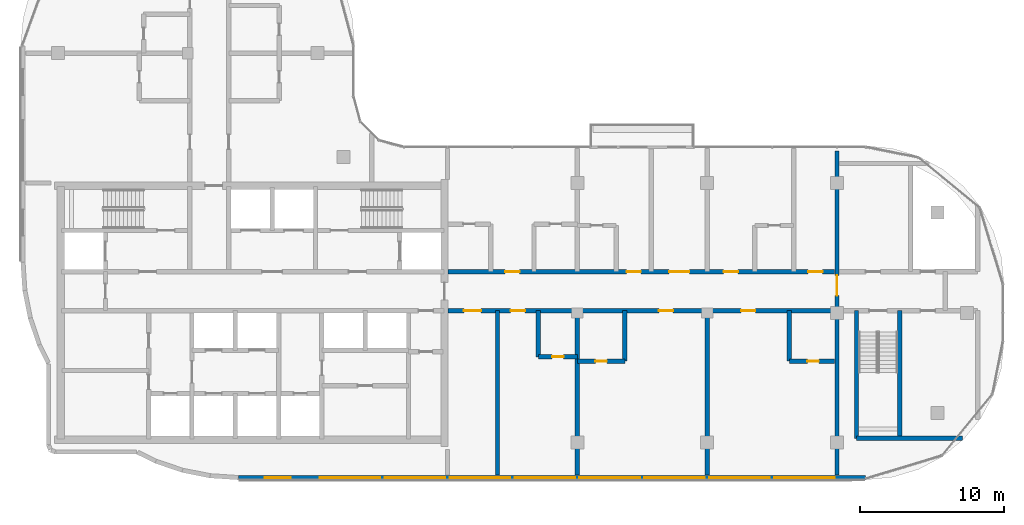
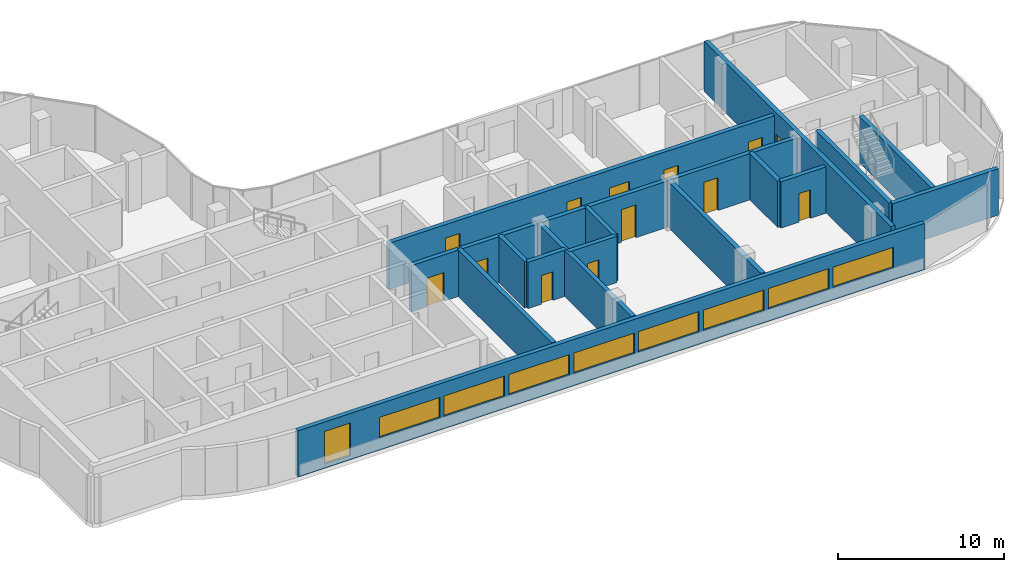
# One storey, part 11 of 18: 16 walls, 13 doors, 9 windows, 22 openings.
"""IFC4 building model written with IfcOpenShell, lengths in metres."""

from ifc_helpers import new_model, si_unit, direction, frame, frame_2d, origin, place, context, subcontext, project, spatial, rectangle, extrude, material, layer, layer_set, type_object, element, fill, save


model = new_model("IFC4")

# Units and contexts
model_context = context("Model", 3, precision=1e-05, world=origin(), true_north=direction((0.0, 1.0)))
body_context = subcontext(model_context, "Body", "Model", "MODEL_VIEW")
ifc_project = project(units=[si_unit("LENGTHUNIT", "METRE"), si_unit("AREAUNIT", "SQUARE_METRE"), si_unit("VOLUMEUNIT", "CUBIC_METRE"), si_unit("PLANEANGLEUNIT", "RADIAN"), si_unit("MASSUNIT", "GRAM", prefix="KILO")], contexts=[model_context])

# Site, building, storey
site_placement = place(None, origin())
site = spatial("IfcSite", under=ifc_project, at=site_placement, CompositionType="ELEMENT")
building_placement = place(site_placement, origin())
building = spatial("IfcBuilding", under=site, at=building_placement, Name="Ogive Portal Towers", CompositionType="ELEMENT")
storey_placement = place(building_placement, frame((0.0, 0.0, 236.5)))
storey = spatial("IfcBuildingStorey", under=building, at=storey_placement, Name="L59", CompositionType="ELEMENT", Elevation=236.5)

# Wall, openings, windows
ifc_material_1 = material(Name="Limestone cladding on lightweight block wall", Category="masonry")
ifc_layer_1 = layer(ifc_material_1, 0.300048828125)
ifc_layer_set_1 = layer_set([ifc_layer_1], Name="EXTERNAL WALL 300 STONE")
wall_type_1 = type_object("IfcWallType", Name="EXTERNAL WALL 300 STONE", PredefinedType="SOLIDWALL", material=ifc_layer_set_1)
wall_1_placement = place(storey_placement, frame((44.009765625, 19.074951171875, 0.0), z_axis=(0.0, 0.0, 1.0), x_axis=(1.0, 0.0, 0.0)))
wall_1 = element("IfcWall", 1, at=wall_1_placement, inside=storey, type_object=wall_type_1, Name="A:L59:f08:r0:wall", PredefinedType="SOLIDWALL", context=body_context, shape_type="SweptSolid", body=[
    extrude(rectangle(XDim=43.478271484375, YDim=0.300048828125, at=frame_2d((21.7392578125, 0.0))), origin(), (0.0, 0.0, 1.0), 3.39990234375),
])
opening_1_placement = place(wall_1_placement, frame((1.844970703125, 0.0, 0.300048828125)))
opening_1 = element("IfcOpeningElement", 2, at=opening_1_placement, cuts=wall_1, Name="Opening WN10", PredefinedType="OPENING", context=body_context, shape_type="SweptSolid", body=[
    extrude(rectangle(XDim=1.800048828125, YDim=2.39990234375, at=frame_2d((0.89990234375, 1.199951171875))), frame((0.0, 0.16015625, 0.0), z_axis=(0.0, -1.0, 0.0), x_axis=(1.0, 0.0, 0.0)), (0.0, 0.0, 1.0), 0.320068359375),
])
opening_2_placement = place(wall_1_placement, frame((5.64013671875, 0.0, 0.89990234375)))
opening_2 = element("IfcOpeningElement", 3, at=opening_2_placement, cuts=wall_1, Name="Opening WN11", PredefinedType="OPENING", context=body_context, shape_type="SweptSolid", body=[
    extrude(rectangle(XDim=4.199951171875, YDim=1.5, at=frame_2d((2.10009765625, 0.75))), frame((0.0, 0.16015625, 0.0), z_axis=(0.0, -1.0, 0.0), x_axis=(1.0, 0.0, 0.0)), (0.0, 0.0, 1.0), 0.320068359375),
])
opening_3_placement = place(wall_1_placement, frame((10.14013671875, 0.0, 0.89990234375)))
opening_3 = element("IfcOpeningElement", 4, at=opening_3_placement, cuts=wall_1, Name="Opening WN11", PredefinedType="OPENING", context=body_context, shape_type="SweptSolid", body=[
    extrude(rectangle(XDim=4.199951171875, YDim=1.5, at=frame_2d((2.10009765625, 0.75))), frame((0.0, 0.16015625, 0.0), z_axis=(0.0, -1.0, 0.0), x_axis=(1.0, 0.0, 0.0)), (0.0, 0.0, 1.0), 0.320068359375),
])
opening_4_placement = place(wall_1_placement, frame((14.64013671875, 0.0, 0.89990234375)))
opening_4 = element("IfcOpeningElement", 5, at=opening_4_placement, cuts=wall_1, Name="Opening WN11", PredefinedType="OPENING", context=body_context, shape_type="SweptSolid", body=[
    extrude(rectangle(XDim=4.199951171875, YDim=1.5, at=frame_2d((2.10009765625, 0.75))), frame((0.0, 0.16015625, 0.0), z_axis=(0.0, -1.0, 0.0), x_axis=(1.0, 0.0, 0.0)), (0.0, 0.0, 1.0), 0.320068359375),
])
opening_5_placement = place(wall_1_placement, frame((19.14013671875, 0.0, 0.89990234375)))
opening_5 = element("IfcOpeningElement", 6, at=opening_5_placement, cuts=wall_1, Name="Opening WN11", PredefinedType="OPENING", context=body_context, shape_type="SweptSolid", body=[
    extrude(rectangle(XDim=4.199951171875, YDim=1.5, at=frame_2d((2.10009765625, 0.75))), frame((0.0, 0.16015625, 0.0), z_axis=(0.0, -1.0, 0.0), x_axis=(1.0, 0.0, 0.0)), (0.0, 0.0, 1.0), 0.320068359375),
])
opening_6_placement = place(wall_1_placement, frame((23.64013671875, 0.0, 0.89990234375)))
opening_6 = element("IfcOpeningElement", 7, at=opening_6_placement, cuts=wall_1, Name="Opening WN11", PredefinedType="OPENING", context=body_context, shape_type="SweptSolid", body=[
    extrude(rectangle(XDim=4.199951171875, YDim=1.5, at=frame_2d((2.10009765625, 0.75))), frame((0.0, 0.16015625, 0.0), z_axis=(0.0, -1.0, 0.0), x_axis=(1.0, 0.0, 0.0)), (0.0, 0.0, 1.0), 0.320068359375),
])
opening_7_placement = place(wall_1_placement, frame((28.14013671875, 0.0, 0.89990234375)))
opening_7 = element("IfcOpeningElement", 8, at=opening_7_placement, cuts=wall_1, Name="Opening WN11", PredefinedType="OPENING", context=body_context, shape_type="SweptSolid", body=[
    extrude(rectangle(XDim=4.199951171875, YDim=1.5, at=frame_2d((2.10009765625, 0.75))), frame((0.0, 0.16015625, 0.0), z_axis=(0.0, -1.0, 0.0), x_axis=(1.0, 0.0, 0.0)), (0.0, 0.0, 1.0), 0.320068359375),
])
opening_8_placement = place(wall_1_placement, frame((32.64013671875, 0.0, 0.89990234375)))
opening_8 = element("IfcOpeningElement", 9, at=opening_8_placement, cuts=wall_1, Name="Opening WN11", PredefinedType="OPENING", context=body_context, shape_type="SweptSolid", body=[
    extrude(rectangle(XDim=4.199951171875, YDim=1.5, at=frame_2d((2.10009765625, 0.75))), frame((0.0, 0.16015625, 0.0), z_axis=(0.0, -1.0, 0.0), x_axis=(1.0, 0.0, 0.0)), (0.0, 0.0, 1.0), 0.320068359375),
])
opening_9_placement = place(wall_1_placement, frame((37.14013671875, 0.0, 0.89990234375)))
opening_9 = element("IfcOpeningElement", 10, at=opening_9_placement, cuts=wall_1, Name="Opening WN11", PredefinedType="OPENING", context=body_context, shape_type="SweptSolid", body=[
    extrude(rectangle(XDim=4.199951171875, YDim=1.5, at=frame_2d((2.10009765625, 0.75))), frame((0.0, 0.16015625, 0.0), z_axis=(0.0, -1.0, 0.0), x_axis=(1.0, 0.0, 0.0)), (0.0, 0.0, 1.0), 0.320068359375),
])
ifc_material_2 = material(Name="Glass, clear low-iron insulated glazing", Category="glass")
window_type_1 = type_object("IfcWindowType", Name="WINDOW RIBBON 4200x1500", PartitioningType="TRIPLE_PANEL_VERTICAL", PredefinedType="WINDOW", material=ifc_material_2)
window_1_placement = place(opening_2_placement, origin())
window_1 = element("IfcWindow", 11, at=window_1_placement, inside=storey, type_object=window_type_1, Name="A:L59:f08:r0:w1", OverallHeight=1.5, OverallWidth=4.199951171875, PartitioningType="SINGLE_PANEL", PredefinedType="WINDOW", context=body_context, shape_type="SweptSolid", body=[
    extrude(rectangle(XDim=4.199951171875, YDim=1.5, at=frame_2d((2.10009765625, 0.75))), frame((0.0, 0.030029296875, 0.0), z_axis=(0.0, -1.0, 0.0), x_axis=(1.0, 0.0, 0.0)), (0.0, 0.0, 1.0), 0.06005859375),
])
fill(opening_2, window_1)
window_2_placement = place(opening_3_placement, origin())
window_2 = element("IfcWindow", 12, at=window_2_placement, inside=storey, type_object=window_type_1, Name="A:L59:f08:r0:w2", OverallHeight=1.5, OverallWidth=4.199951171875, PartitioningType="SINGLE_PANEL", PredefinedType="WINDOW", context=body_context, shape_type="SweptSolid", body=[
    extrude(rectangle(XDim=4.199951171875, YDim=1.5, at=frame_2d((2.10009765625, 0.75))), frame((0.0, 0.030029296875, 0.0), z_axis=(0.0, -1.0, 0.0), x_axis=(1.0, 0.0, 0.0)), (0.0, 0.0, 1.0), 0.06005859375),
])
fill(opening_3, window_2)
window_3_placement = place(opening_4_placement, origin())
window_3 = element("IfcWindow", 13, at=window_3_placement, inside=storey, type_object=window_type_1, Name="A:L59:f08:r0:w3", OverallHeight=1.5, OverallWidth=4.199951171875, PartitioningType="SINGLE_PANEL", PredefinedType="WINDOW", context=body_context, shape_type="SweptSolid", body=[
    extrude(rectangle(XDim=4.199951171875, YDim=1.5, at=frame_2d((2.10009765625, 0.75))), frame((0.0, 0.030029296875, 0.0), z_axis=(0.0, -1.0, 0.0), x_axis=(1.0, 0.0, 0.0)), (0.0, 0.0, 1.0), 0.06005859375),
])
fill(opening_4, window_3)
window_4_placement = place(opening_5_placement, origin())
window_4 = element("IfcWindow", 14, at=window_4_placement, inside=storey, type_object=window_type_1, Name="A:L59:f08:r0:w4", OverallHeight=1.5, OverallWidth=4.199951171875, PartitioningType="SINGLE_PANEL", PredefinedType="WINDOW", context=body_context, shape_type="SweptSolid", body=[
    extrude(rectangle(XDim=4.199951171875, YDim=1.5, at=frame_2d((2.10009765625, 0.75))), frame((0.0, 0.030029296875, 0.0), z_axis=(0.0, -1.0, 0.0), x_axis=(1.0, 0.0, 0.0)), (0.0, 0.0, 1.0), 0.06005859375),
])
fill(opening_5, window_4)
window_5_placement = place(opening_6_placement, origin())
window_5 = element("IfcWindow", 15, at=window_5_placement, inside=storey, type_object=window_type_1, Name="A:L59:f08:r0:w5", OverallHeight=1.5, OverallWidth=4.199951171875, PartitioningType="SINGLE_PANEL", PredefinedType="WINDOW", context=body_context, shape_type="SweptSolid", body=[
    extrude(rectangle(XDim=4.199951171875, YDim=1.5, at=frame_2d((2.10009765625, 0.75))), frame((0.0, 0.030029296875, 0.0), z_axis=(0.0, -1.0, 0.0), x_axis=(1.0, 0.0, 0.0)), (0.0, 0.0, 1.0), 0.06005859375),
])
fill(opening_6, window_5)
window_6_placement = place(opening_7_placement, origin())
window_6 = element("IfcWindow", 16, at=window_6_placement, inside=storey, type_object=window_type_1, Name="A:L59:f08:r0:w6", OverallHeight=1.5, OverallWidth=4.199951171875, PartitioningType="SINGLE_PANEL", PredefinedType="WINDOW", context=body_context, shape_type="SweptSolid", body=[
    extrude(rectangle(XDim=4.199951171875, YDim=1.5, at=frame_2d((2.10009765625, 0.75))), frame((0.0, 0.030029296875, 0.0), z_axis=(0.0, -1.0, 0.0), x_axis=(1.0, 0.0, 0.0)), (0.0, 0.0, 1.0), 0.06005859375),
])
fill(opening_7, window_6)
window_7_placement = place(opening_8_placement, origin())
window_7 = element("IfcWindow", 17, at=window_7_placement, inside=storey, type_object=window_type_1, Name="A:L59:f08:r0:w7", OverallHeight=1.5, OverallWidth=4.199951171875, PartitioningType="SINGLE_PANEL", PredefinedType="WINDOW", context=body_context, shape_type="SweptSolid", body=[
    extrude(rectangle(XDim=4.199951171875, YDim=1.5, at=frame_2d((2.10009765625, 0.75))), frame((0.0, 0.030029296875, 0.0), z_axis=(0.0, -1.0, 0.0), x_axis=(1.0, 0.0, 0.0)), (0.0, 0.0, 1.0), 0.06005859375),
])
fill(opening_8, window_7)
window_8_placement = place(opening_9_placement, origin())
window_8 = element("IfcWindow", 18, at=window_8_placement, inside=storey, type_object=window_type_1, Name="A:L59:f08:r0:w8", OverallHeight=1.5, OverallWidth=4.199951171875, PartitioningType="SINGLE_PANEL", PredefinedType="WINDOW", context=body_context, shape_type="SweptSolid", body=[
    extrude(rectangle(XDim=4.199951171875, YDim=1.5, at=frame_2d((2.10009765625, 0.75))), frame((0.0, 0.030029296875, 0.0), z_axis=(0.0, -1.0, 0.0), x_axis=(1.0, 0.0, 0.0)), (0.0, 0.0, 1.0), 0.06005859375),
])
fill(opening_9, window_8)
window_type_2 = type_object("IfcWindowType", Name="WINDOW SUITE CORNER 1800x2400", PartitioningType="DOUBLE_PANEL_VERTICAL", PredefinedType="WINDOW", material=ifc_material_2)
window_9_placement = place(opening_1_placement, origin())
window_9 = element("IfcWindow", 19, at=window_9_placement, inside=storey, type_object=window_type_2, Name="A:L59:f08:r0:w0", OverallHeight=2.39990234375, OverallWidth=1.800048828125, PartitioningType="SINGLE_PANEL", PredefinedType="WINDOW", context=body_context, shape_type="SweptSolid", body=[
    extrude(rectangle(XDim=1.800048828125, YDim=2.39990234375, at=frame_2d((0.89990234375, 1.199951171875))), frame((0.0, 0.030029296875, 0.0), z_axis=(0.0, -1.0, 0.0), x_axis=(1.0, 0.0, 0.0)), (0.0, 0.0, 1.0), 0.06005859375),
])
fill(opening_1, window_9)

# Wall, opening, door
ifc_material_3 = material(Name="Concrete C60/75", Category="concrete")
ifc_layer_2 = layer(ifc_material_3, 0.300048828125)
ifc_layer_set_2 = layer_set([ifc_layer_2], Name="REVEAL WALL 300 C60")
wall_type_2 = type_object("IfcWallType", Name="REVEAL WALL 300 C60", PredefinedType="SHEAR", material=ifc_layer_set_2)
wall_2_placement = place(storey_placement, frame((85.5, 19.27490234375, 0.0), z_axis=(0.0, 0.0, 1.0), x_axis=(0.0, 1.0, 0.0)))
wall_2 = element("IfcWall", 20, at=wall_2_placement, inside=storey, type_object=wall_type_2, Name="Portal reveal wall L59", PredefinedType="SHEAR", context=body_context, shape_type="SweptSolid", body=[
    extrude(rectangle(XDim=22.4501953125, YDim=0.300048828125, at=frame_2d((11.22509765625, 0.0))), origin(), (0.0, 0.0, 1.0), 3.699951171875),
])
opening_10_placement = place(wall_2_placement, frame((12.425048828125, 0.0, 0.0)))
opening_10 = element("IfcOpeningElement", 21, at=opening_10_placement, cuts=wall_2, Name="Opening D26-056", PredefinedType="OPENING", context=body_context, shape_type="SweptSolid", body=[
    extrude(rectangle(XDim=1.39990234375, YDim=2.10009765625, at=frame_2d((0.699951171875, 1.050048828125))), frame((0.0, 0.16015625, 0.0), z_axis=(0.0, -1.0, 0.0), x_axis=(1.0, 0.0, 0.0)), (0.0, 0.0, 1.0), 0.320068359375),
])
ifc_material_4 = material(Name="Steel fire door", Category="steel")
door_type_1 = type_object("IfcDoorType", Name="DT-STAIR-1400x2100-FD90S", OperationType="SINGLE_SWING_LEFT", PredefinedType="DOOR", material=ifc_material_4)
door_1_placement = place(opening_10_placement, origin())
door_1 = element("IfcDoor", 22, at=door_1_placement, inside=storey, type_object=door_type_1, Name="Door D26-056", OperationType="SINGLE_SWING_RIGHT", OverallHeight=2.10009765625, OverallWidth=1.39990234375, PredefinedType="DOOR", context=body_context, shape_type="SweptSolid", body=[
    extrude(rectangle(XDim=1.39990234375, YDim=2.10009765625, at=frame_2d((0.699951171875, 1.050048828125))), frame((0.0, 0.02490234375, 0.0), z_axis=(0.0, -1.0, 0.0), x_axis=(1.0, 0.0, 0.0)), (0.0, 0.0, 1.0), 0.050048828125),
])
fill(opening_10, door_1)

# Walls
ifc_material_5 = material(Name="Concrete C50/60", Category="concrete")
ifc_layer_3 = layer(ifc_material_5, 0.300048828125)
ifc_layer_set_3 = layer_set([ifc_layer_3], Name="STAIR WALL 300 C50")
wall_type_3 = type_object("IfcWallType", Name="STAIR WALL 300 C50", PredefinedType="SHEAR", material=ifc_layer_set_3)
wall_3_placement = place(storey_placement, frame((86.85009765625, 21.800048828125, 0.0), z_axis=(0.0, 0.0, 1.0), x_axis=(1.0, 0.0, 0.0)))
element("IfcWall", 23, at=wall_3_placement, inside=storey, type_object=wall_type_3, Name="Stair wall ST-A4 L59", PredefinedType="SHEAR", context=body_context, shape_type="SweptSolid", body=[
    extrude(rectangle(XDim=7.3388671875, YDim=0.300048828125, at=frame_2d((3.66943359375, 0.0))), origin(), (0.0, 0.0, 1.0), 3.39990234375),
])
for number, where, z_axis, x_axis, name in (
    (24, (86.85009765625, 21.800048828125, 0.0), (0.0, 0.0, 1.0), (0.0, 1.0, 0.0), "Stair wall ST-A4 L59"),
    (25, (89.85009765625, 21.800048828125, 0.0), (0.0, 0.0, 1.0), (0.0, 1.0, 0.0), "Stair wall ST-A4 L59"),
):
    element("IfcWall", number, at=place(storey_placement, frame(where, z_axis=z_axis, x_axis=x_axis)), inside=storey, type_object=wall_type_3, Name=name, PredefinedType="SHEAR", context=body_context, shape_type="SweptSolid", body=[
        extrude(rectangle(XDim=8.849853515625, YDim=0.300048828125, at=frame_2d((4.4248046875, 0.0))), origin(), (0.0, 0.0, 1.0), 3.39990234375),
    ])

# Wall, openings, doors
ifc_material_6 = material(Name="Gypsum board partition on steel studs", Category="steel")
ifc_layer_4 = layer(ifc_material_6, 0.300048828125)
ifc_layer_set_4 = layer_set([ifc_layer_4], Name="WT-PART-300-EI 120")
wall_type_4 = type_object("IfcWallType", Name="WT-PART-300-EI 120", PredefinedType="PARTITIONING", material=ifc_layer_set_4)
wall_4_placement = place(storey_placement, frame((58.550048828125, 30.64990234375, 0.0), z_axis=(0.0, 0.0, 1.0), x_axis=(1.0, 0.0, 0.0)))
wall_4 = element("IfcWall", 26, at=wall_4_placement, inside=storey, type_object=wall_type_4, Name="Wall L59:w005", PredefinedType="PARTITIONING", context=body_context, shape_type="SweptSolid", body=[
    extrude(rectangle(XDim=26.780029296875, YDim=0.300048828125, at=frame_2d((13.39013671875, 0.0))), origin(), (0.0, 0.0, 1.0), 3.39990234375),
])
opening_11_placement = place(wall_4_placement, frame((1.0849609375, 0.0, 0.0)))
opening_11 = element("IfcOpeningElement", 27, at=opening_11_placement, cuts=wall_4, Name="Opening D26-029", PredefinedType="OPENING", context=body_context, shape_type="SweptSolid", body=[
    extrude(rectangle(XDim=1.199951171875, YDim=2.10009765625, at=frame_2d((0.60009765625, 1.050048828125))), frame((0.0, 0.16015625, 0.0), z_axis=(0.0, -1.0, 0.0), x_axis=(1.0, 0.0, 0.0)), (0.0, 0.0, 1.0), 0.320068359375),
])
opening_12_placement = place(wall_4_placement, frame((4.3349609375, 0.0, 0.0)))
opening_12 = element("IfcOpeningElement", 28, at=opening_12_placement, cuts=wall_4, Name="Opening D26-031", PredefinedType="OPENING", context=body_context, shape_type="SweptSolid", body=[
    extrude(rectangle(XDim=1.0, YDim=2.10009765625, at=frame_2d((0.5, 1.050048828125))), frame((0.0, 0.16015625, 0.0), z_axis=(0.0, -1.0, 0.0), x_axis=(1.0, 0.0, 0.0)), (0.0, 0.0, 1.0), 0.320068359375),
])
opening_13_placement = place(wall_4_placement, frame((14.60009765625, 0.0, 0.0)))
opening_13 = element("IfcOpeningElement", 29, at=opening_13_placement, cuts=wall_4, Name="Opening D26-036", PredefinedType="OPENING", context=body_context, shape_type="SweptSolid", body=[
    extrude(rectangle(XDim=1.0, YDim=2.39990234375, at=frame_2d((0.5, 1.199951171875))), frame((0.0, 0.16015625, 0.0), z_axis=(0.0, -1.0, 0.0), x_axis=(1.0, 0.0, 0.0)), (0.0, 0.0, 1.0), 0.320068359375),
])
opening_14_placement = place(wall_4_placement, frame((20.300048828125, 0.0, 0.0)))
opening_14 = element("IfcOpeningElement", 30, at=opening_14_placement, cuts=wall_4, Name="Opening D26-041", PredefinedType="OPENING", context=body_context, shape_type="SweptSolid", body=[
    extrude(rectangle(XDim=1.0, YDim=2.39990234375, at=frame_2d((0.5, 1.199951171875))), frame((0.0, 0.16015625, 0.0), z_axis=(0.0, -1.0, 0.0), x_axis=(1.0, 0.0, 0.0)), (0.0, 0.0, 1.0), 0.320068359375),
])
door_type_2 = type_object("IfcDoorType", Name="DT-ENTRY-1000x2100-FD90S", OperationType="SINGLE_SWING_LEFT", PredefinedType="DOOR", material=ifc_material_4)
door_2_placement = place(opening_12_placement, origin())
door_2 = element("IfcDoor", 31, at=door_2_placement, inside=storey, type_object=door_type_2, Name="Door D26-031", OperationType="SINGLE_SWING_LEFT", OverallHeight=2.10009765625, OverallWidth=1.0, PredefinedType="DOOR", context=body_context, shape_type="SweptSolid", body=[
    extrude(rectangle(XDim=1.0, YDim=2.10009765625, at=frame_2d((0.5, 1.050048828125))), frame((0.0, 0.02490234375, 0.0), z_axis=(0.0, -1.0, 0.0), x_axis=(1.0, 0.0, 0.0)), (0.0, 0.0, 1.0), 0.050048828125),
])
fill(opening_12, door_2)
door_type_3 = type_object("IfcDoorType", Name="DT-ENTRY-1000x2400-FD90S", OperationType="SINGLE_SWING_LEFT", PredefinedType="DOOR", material=ifc_material_4)
door_3_placement = place(opening_13_placement, origin())
door_3 = element("IfcDoor", 32, at=door_3_placement, inside=storey, type_object=door_type_3, Name="Door D26-036", OperationType="SINGLE_SWING_LEFT", OverallHeight=2.39990234375, OverallWidth=1.0, PredefinedType="DOOR", context=body_context, shape_type="SweptSolid", body=[
    extrude(rectangle(XDim=1.0, YDim=2.39990234375, at=frame_2d((0.5, 1.199951171875))), frame((0.0, 0.02490234375, 0.0), z_axis=(0.0, -1.0, 0.0), x_axis=(1.0, 0.0, 0.0)), (0.0, 0.0, 1.0), 0.050048828125),
])
fill(opening_13, door_3)
door_4_placement = place(opening_14_placement, origin())
door_4 = element("IfcDoor", 33, at=door_4_placement, inside=storey, type_object=door_type_3, Name="Door D26-041", OperationType="SINGLE_SWING_RIGHT", OverallHeight=2.39990234375, OverallWidth=1.0, PredefinedType="DOOR", context=body_context, shape_type="SweptSolid", body=[
    extrude(rectangle(XDim=1.0, YDim=2.39990234375, at=frame_2d((0.5, 1.199951171875))), frame((0.0, 0.02490234375, 0.0), z_axis=(0.0, -1.0, 0.0), x_axis=(1.0, 0.0, 0.0)), (0.0, 0.0, 1.0), 0.050048828125),
])
fill(opening_14, door_4)
door_type_4 = type_object("IfcDoorType", Name="DT-ENTRY-1200x2100-FD90S", OperationType="SINGLE_SWING_LEFT", PredefinedType="DOOR", material=ifc_material_4)
door_5_placement = place(opening_11_placement, origin())
door_5 = element("IfcDoor", 34, at=door_5_placement, inside=storey, type_object=door_type_4, Name="Door D26-029", OperationType="SINGLE_SWING_LEFT", OverallHeight=2.10009765625, OverallWidth=1.199951171875, PredefinedType="DOOR", context=body_context, shape_type="SweptSolid", body=[
    extrude(rectangle(XDim=1.199951171875, YDim=2.10009765625, at=frame_2d((0.60009765625, 1.050048828125))), frame((0.0, 0.02490234375, 0.0), z_axis=(0.0, -1.0, 0.0), x_axis=(1.0, 0.0, 0.0)), (0.0, 0.0, 1.0), 0.050048828125),
])
fill(opening_11, door_5)

wall_5_placement = place(storey_placement, frame((58.550048828125, 33.35009765625, 0.0), z_axis=(0.0, 0.0, 1.0), x_axis=(1.0, 0.0, 0.0)))
wall_5 = element("IfcWall", 35, at=wall_5_placement, inside=storey, type_object=wall_type_4, Name="Wall L59:w007", PredefinedType="PARTITIONING", context=body_context, shape_type="SweptSolid", body=[
    extrude(rectangle(XDim=26.780029296875, YDim=0.300048828125, at=frame_2d((13.39013671875, 0.0))), origin(), (0.0, 0.0, 1.0), 3.39990234375),
])
opening_15_placement = place(wall_5_placement, frame((3.949951171875, 0.0, 0.0)))
opening_15 = element("IfcOpeningElement", 36, at=opening_15_placement, cuts=wall_5, Name="Opening D26-028", PredefinedType="OPENING", context=body_context, shape_type="SweptSolid", body=[
    extrude(rectangle(XDim=1.0, YDim=2.39990234375, at=frame_2d((0.5, 1.199951171875))), frame((0.0, 0.16015625, 0.0), z_axis=(0.0, -1.0, 0.0), x_axis=(1.0, 0.0, 0.0)), (0.0, 0.0, 1.0), 0.320068359375),
])
opening_16_placement = place(wall_5_placement, frame((12.364990234375, 0.0, 0.0)))
opening_16 = element("IfcOpeningElement", 37, at=opening_16_placement, cuts=wall_5, Name="Opening D26-033", PredefinedType="OPENING", context=body_context, shape_type="SweptSolid", body=[
    extrude(rectangle(XDim=1.0, YDim=2.10009765625, at=frame_2d((0.5, 1.050048828125))), frame((0.0, 0.16015625, 0.0), z_axis=(0.0, -1.0, 0.0), x_axis=(1.0, 0.0, 0.0)), (0.0, 0.0, 1.0), 0.320068359375),
])
opening_17_placement = place(wall_5_placement, frame((15.31494140625, 0.0, 0.0)))
opening_17 = element("IfcOpeningElement", 38, at=opening_17_placement, cuts=wall_5, Name="Opening D26-034", PredefinedType="OPENING", context=body_context, shape_type="SweptSolid", body=[
    extrude(rectangle(XDim=1.39990234375, YDim=2.10009765625, at=frame_2d((0.699951171875, 1.050048828125))), frame((0.0, 0.16015625, 0.0), z_axis=(0.0, -1.0, 0.0), x_axis=(1.0, 0.0, 0.0)), (0.0, 0.0, 1.0), 0.320068359375),
])
opening_18_placement = place(wall_5_placement, frame((19.10009765625, 0.0, 0.0)))
opening_18 = element("IfcOpeningElement", 39, at=opening_18_placement, cuts=wall_5, Name="Opening D26-038", PredefinedType="OPENING", context=body_context, shape_type="SweptSolid", body=[
    extrude(rectangle(XDim=1.0, YDim=2.10009765625, at=frame_2d((0.5, 1.050048828125))), frame((0.0, 0.16015625, 0.0), z_axis=(0.0, -1.0, 0.0), x_axis=(1.0, 0.0, 0.0)), (0.0, 0.0, 1.0), 0.320068359375),
])
opening_19_placement = place(wall_5_placement, frame((24.949951171875, 0.0, 0.0)))
opening_19 = element("IfcOpeningElement", 40, at=opening_19_placement, cuts=wall_5, Name="Opening D26-039", PredefinedType="OPENING", context=body_context, shape_type="SweptSolid", body=[
    extrude(rectangle(XDim=1.0, YDim=2.10009765625, at=frame_2d((0.5, 1.050048828125))), frame((0.0, 0.16015625, 0.0), z_axis=(0.0, -1.0, 0.0), x_axis=(1.0, 0.0, 0.0)), (0.0, 0.0, 1.0), 0.320068359375),
])
door_6_placement = place(opening_16_placement, origin())
door_6 = element("IfcDoor", 41, at=door_6_placement, inside=storey, type_object=door_type_2, Name="Door D26-033", OperationType="SINGLE_SWING_LEFT", OverallHeight=2.10009765625, OverallWidth=1.0, PredefinedType="DOOR", context=body_context, shape_type="SweptSolid", body=[
    extrude(rectangle(XDim=1.0, YDim=2.10009765625, at=frame_2d((0.5, 1.050048828125))), frame((0.0, 0.02490234375, 0.0), z_axis=(0.0, -1.0, 0.0), x_axis=(1.0, 0.0, 0.0)), (0.0, 0.0, 1.0), 0.050048828125),
])
fill(opening_16, door_6)
door_7_placement = place(opening_18_placement, origin())
door_7 = element("IfcDoor", 42, at=door_7_placement, inside=storey, type_object=door_type_2, Name="Door D26-038", OperationType="SINGLE_SWING_RIGHT", OverallHeight=2.10009765625, OverallWidth=1.0, PredefinedType="DOOR", context=body_context, shape_type="SweptSolid", body=[
    extrude(rectangle(XDim=1.0, YDim=2.10009765625, at=frame_2d((0.5, 1.050048828125))), frame((0.0, 0.02490234375, 0.0), z_axis=(0.0, -1.0, 0.0), x_axis=(1.0, 0.0, 0.0)), (0.0, 0.0, 1.0), 0.050048828125),
])
fill(opening_18, door_7)
door_8_placement = place(opening_19_placement, origin())
door_8 = element("IfcDoor", 43, at=door_8_placement, inside=storey, type_object=door_type_2, Name="Door D26-039", OperationType="SINGLE_SWING_LEFT", OverallHeight=2.10009765625, OverallWidth=1.0, PredefinedType="DOOR", context=body_context, shape_type="SweptSolid", body=[
    extrude(rectangle(XDim=1.0, YDim=2.10009765625, at=frame_2d((0.5, 1.050048828125))), frame((0.0, 0.02490234375, 0.0), z_axis=(0.0, -1.0, 0.0), x_axis=(1.0, 0.0, 0.0)), (0.0, 0.0, 1.0), 0.050048828125),
])
fill(opening_19, door_8)
door_9_placement = place(opening_15_placement, origin())
door_9 = element("IfcDoor", 44, at=door_9_placement, inside=storey, type_object=door_type_3, Name="Door D26-028", OperationType="SINGLE_SWING_LEFT", OverallHeight=2.39990234375, OverallWidth=1.0, PredefinedType="DOOR", context=body_context, shape_type="SweptSolid", body=[
    extrude(rectangle(XDim=1.0, YDim=2.39990234375, at=frame_2d((0.5, 1.199951171875))), frame((0.0, 0.02490234375, 0.0), z_axis=(0.0, -1.0, 0.0), x_axis=(1.0, 0.0, 0.0)), (0.0, 0.0, 1.0), 0.050048828125),
])
fill(opening_15, door_9)
door_type_5 = type_object("IfcDoorType", Name="DT-ENTRY-1400x2100-FD90S", OperationType="SINGLE_SWING_LEFT", PredefinedType="DOOR", material=ifc_material_4)
door_10_placement = place(opening_17_placement, origin())
door_10 = element("IfcDoor", 45, at=door_10_placement, inside=storey, type_object=door_type_5, Name="Door D26-034", OperationType="SINGLE_SWING_RIGHT", OverallHeight=2.10009765625, OverallWidth=1.39990234375, PredefinedType="DOOR", context=body_context, shape_type="SweptSolid", body=[
    extrude(rectangle(XDim=1.39990234375, YDim=2.10009765625, at=frame_2d((0.699951171875, 1.050048828125))), frame((0.0, 0.02490234375, 0.0), z_axis=(0.0, -1.0, 0.0), x_axis=(1.0, 0.0, 0.0)), (0.0, 0.0, 1.0), 0.050048828125),
])
fill(opening_17, door_10)

# Wall, opening, door
ifc_layer_5 = layer(ifc_material_6, 0.300048828125)
ifc_layer_set_5 = layer_set([ifc_layer_5], Name="WT-PART-300-EI 60")
wall_type_5 = type_object("IfcWallType", Name="WT-PART-300-EI 60", PredefinedType="PARTITIONING", material=ifc_layer_set_5)
wall_6_placement = place(storey_placement, frame((67.5, 27.14990234375, 0.0), z_axis=(0.0, 0.0, 1.0), x_axis=(1.0, 0.0, 0.0)))
wall_6 = element("IfcWall", 46, at=wall_6_placement, inside=storey, type_object=wall_type_5, Name="Wall L59:w002", PredefinedType="PARTITIONING", context=body_context, shape_type="SweptSolid", body=[
    extrude(rectangle(XDim=3.300048828125, YDim=0.300048828125, at=frame_2d((1.64990234375, 0.0))), origin(), (0.0, 0.0, 1.0), 3.39990234375),
])
opening_20_placement = place(wall_6_placement, frame((1.25, 0.0, 0.0)))
opening_20 = element("IfcOpeningElement", 47, at=opening_20_placement, cuts=wall_6, Name="Opening D26-035", PredefinedType="OPENING", context=body_context, shape_type="SweptSolid", body=[
    extrude(rectangle(XDim=0.800048828125, YDim=2.10009765625, at=frame_2d((0.39990234375, 1.050048828125))), frame((0.0, 0.16015625, 0.0), z_axis=(0.0, -1.0, 0.0), x_axis=(1.0, 0.0, 0.0)), (0.0, 0.0, 1.0), 0.320068359375),
])
door_type_6 = type_object("IfcDoorType", Name="DT-BATH-800x2100-FD60S", OperationType="SINGLE_SWING_LEFT", PredefinedType="DOOR", material=ifc_material_4)
door_11_placement = place(opening_20_placement, origin())
door_11 = element("IfcDoor", 48, at=door_11_placement, inside=storey, type_object=door_type_6, Name="Door D26-035", OperationType="SINGLE_SWING_LEFT", OverallHeight=2.10009765625, OverallWidth=0.800048828125, PredefinedType="DOOR", context=body_context, shape_type="SweptSolid", body=[
    extrude(rectangle(XDim=0.800048828125, YDim=2.10009765625, at=frame_2d((0.39990234375, 1.050048828125))), frame((0.0, 0.02490234375, 0.0), z_axis=(0.0, -1.0, 0.0), x_axis=(1.0, 0.0, 0.0)), (0.0, 0.0, 1.0), 0.050048828125),
])
fill(opening_20, door_11)

wall_7_placement = place(storey_placement, frame((82.199951171875, 27.14990234375, 0.0), z_axis=(0.0, 0.0, 1.0), x_axis=(1.0, 0.0, 0.0)))
wall_7 = element("IfcWall", 49, at=wall_7_placement, inside=storey, type_object=wall_type_5, Name="Wall L59:w003", PredefinedType="PARTITIONING", context=body_context, shape_type="SweptSolid", body=[
    extrude(rectangle(XDim=3.130126953125, YDim=0.300048828125, at=frame_2d((1.56494140625, 0.0))), origin(), (0.0, 0.0, 1.0), 3.39990234375),
])
opening_21_placement = place(wall_7_placement, frame((1.25, 0.0, 0.0)))
opening_21 = element("IfcOpeningElement", 50, at=opening_21_placement, cuts=wall_7, Name="Opening D26-040", PredefinedType="OPENING", context=body_context, shape_type="SweptSolid", body=[
    extrude(rectangle(XDim=0.800048828125, YDim=2.10009765625, at=frame_2d((0.39990234375, 1.050048828125))), frame((0.0, 0.16015625, 0.0), z_axis=(0.0, -1.0, 0.0), x_axis=(1.0, 0.0, 0.0)), (0.0, 0.0, 1.0), 0.320068359375),
])
door_12_placement = place(opening_21_placement, origin())
door_12 = element("IfcDoor", 51, at=door_12_placement, inside=storey, type_object=door_type_6, Name="Door D26-040", OperationType="SINGLE_SWING_LEFT", OverallHeight=2.10009765625, OverallWidth=0.800048828125, PredefinedType="DOOR", context=body_context, shape_type="SweptSolid", body=[
    extrude(rectangle(XDim=0.800048828125, YDim=2.10009765625, at=frame_2d((0.39990234375, 1.050048828125))), frame((0.0, 0.02490234375, 0.0), z_axis=(0.0, -1.0, 0.0), x_axis=(1.0, 0.0, 0.0)), (0.0, 0.0, 1.0), 0.050048828125),
])
fill(opening_21, door_12)

wall_8_placement = place(storey_placement, frame((64.800048828125, 27.449951171875, 0.0), z_axis=(0.0, 0.0, 1.0), x_axis=(1.0, 0.0, 0.0)))
wall_8 = element("IfcWall", 52, at=wall_8_placement, inside=storey, type_object=wall_type_5, Name="Wall L59:w004", PredefinedType="PARTITIONING", context=body_context, shape_type="SweptSolid", body=[
    extrude(rectangle(XDim=2.699951171875, YDim=0.300048828125, at=frame_2d((1.35009765625, 0.0))), origin(), (0.0, 0.0, 1.0), 3.39990234375),
])
opening_22_placement = place(wall_8_placement, frame((0.949951171875, 0.0, 0.0)))
opening_22 = element("IfcOpeningElement", 53, at=opening_22_placement, cuts=wall_8, Name="Opening D26-030", PredefinedType="OPENING", context=body_context, shape_type="SweptSolid", body=[
    extrude(rectangle(XDim=0.800048828125, YDim=2.10009765625, at=frame_2d((0.39990234375, 1.050048828125))), frame((0.0, 0.16015625, 0.0), z_axis=(0.0, -1.0, 0.0), x_axis=(1.0, 0.0, 0.0)), (0.0, 0.0, 1.0), 0.320068359375),
])
door_13_placement = place(opening_22_placement, origin())
door_13 = element("IfcDoor", 54, at=door_13_placement, inside=storey, type_object=door_type_6, Name="Door D26-030", OperationType="SINGLE_SWING_RIGHT", OverallHeight=2.10009765625, OverallWidth=0.800048828125, PredefinedType="DOOR", context=body_context, shape_type="SweptSolid", body=[
    extrude(rectangle(XDim=0.800048828125, YDim=2.10009765625, at=frame_2d((0.39990234375, 1.050048828125))), frame((0.0, 0.02490234375, 0.0), z_axis=(0.0, -1.0, 0.0), x_axis=(1.0, 0.0, 0.0)), (0.0, 0.0, 1.0), 0.050048828125),
])
fill(opening_22, door_13)

# Walls
wall_9_placement = place(storey_placement, frame((61.969970703125, 19.27490234375, 0.0), z_axis=(0.0, 0.0, 1.0), x_axis=(0.0, 1.0, 0.0)))
element("IfcWall", 55, at=wall_9_placement, inside=storey, type_object=wall_type_5, Name="Wall L59:w036", PredefinedType="PARTITIONING", context=body_context, shape_type="SweptSolid", body=[
    extrude(rectangle(XDim=11.375, YDim=0.300048828125, at=frame_2d((5.6875, 0.0))), origin(), (0.0, 0.0, 1.0), 3.39990234375),
])
wall_10_placement = place(storey_placement, frame((64.800048828125, 27.449951171875, 0.0), z_axis=(0.0, 0.0, 1.0), x_axis=(0.0, 1.0, 0.0)))
element("IfcWall", 56, at=wall_10_placement, inside=storey, type_object=wall_type_5, Name="Wall L59:w038", PredefinedType="PARTITIONING", context=body_context, shape_type="SweptSolid", body=[
    extrude(rectangle(XDim=3.199951171875, YDim=0.300048828125, at=frame_2d((1.60009765625, 0.0))), origin(), (0.0, 0.0, 1.0), 3.39990234375),
])
wall_11_placement = place(storey_placement, frame((67.5, 19.27490234375, 0.0), z_axis=(0.0, 0.0, 1.0), x_axis=(0.0, 1.0, 0.0)))
element("IfcWall", 57, at=wall_11_placement, inside=storey, type_object=wall_type_5, Name="Wall L59:w039", PredefinedType="PARTITIONING", context=body_context, shape_type="SweptSolid", body=[
    extrude(rectangle(XDim=11.375, YDim=0.300048828125, at=frame_2d((5.6875, 0.0))), origin(), (0.0, 0.0, 1.0), 3.39990234375),
])
wall_12_placement = place(storey_placement, frame((70.800048828125, 27.14990234375, 0.0), z_axis=(0.0, 0.0, 1.0), x_axis=(0.0, 1.0, 0.0)))
element("IfcWall", 58, at=wall_12_placement, inside=storey, type_object=wall_type_5, Name="Wall L59:w042", PredefinedType="PARTITIONING", context=body_context, shape_type="SweptSolid", body=[
    extrude(rectangle(XDim=3.5, YDim=0.300048828125, at=frame_2d((1.75, 0.0))), origin(), (0.0, 0.0, 1.0), 3.39990234375),
])
wall_13_placement = place(storey_placement, frame((76.5, 19.27490234375, 0.0), z_axis=(0.0, 0.0, 1.0), x_axis=(0.0, 1.0, 0.0)))
element("IfcWall", 59, at=wall_13_placement, inside=storey, type_object=wall_type_5, Name="Wall L59:w044", PredefinedType="PARTITIONING", context=body_context, shape_type="SweptSolid", body=[
    extrude(rectangle(XDim=11.375, YDim=0.300048828125, at=frame_2d((5.6875, 0.0))), origin(), (0.0, 0.0, 1.0), 3.39990234375),
])
wall_14_placement = place(storey_placement, frame((82.199951171875, 27.14990234375, 0.0), z_axis=(0.0, 0.0, 1.0), x_axis=(0.0, 1.0, 0.0)))
element("IfcWall", 60, at=wall_14_placement, inside=storey, type_object=wall_type_5, Name="Wall L59:w047", PredefinedType="PARTITIONING", context=body_context, shape_type="SweptSolid", body=[
    extrude(rectangle(XDim=3.5, YDim=0.300048828125, at=frame_2d((1.75, 0.0))), origin(), (0.0, 0.0, 1.0), 3.39990234375),
])

save(model, "model.ifc")
